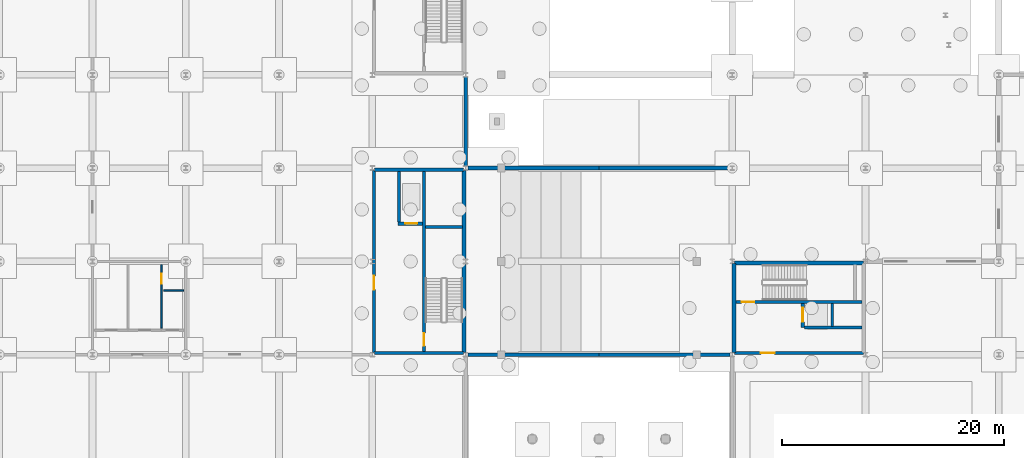
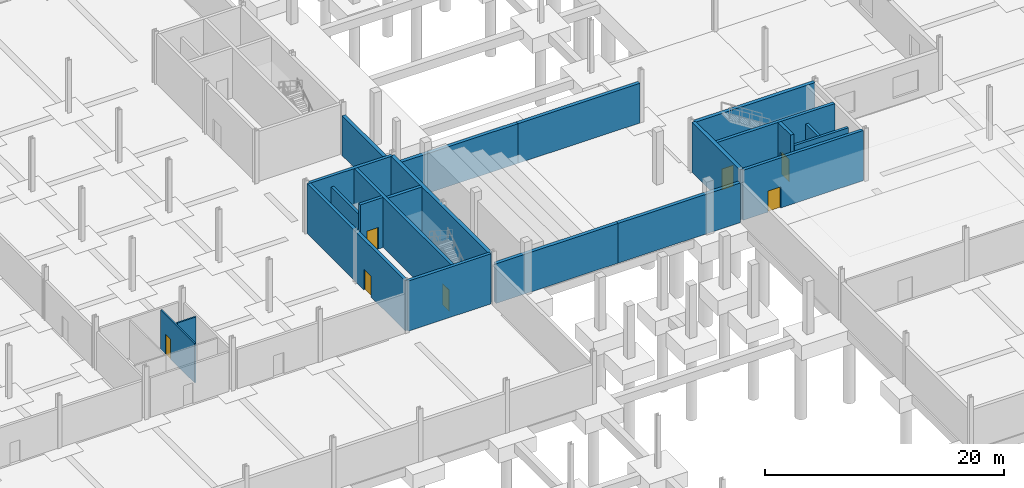
# One storey, part 26 of 36: 22 walls, 7 doors, 7 openings.
"""IFC4 building model written with IfcOpenShell, lengths in metres."""

from ifc_helpers import new_model, si_unit, direction, frame, frame_2d, origin, place, context, subcontext, project, spatial, rectangle, extrude, material, layer, layer_set, type_object, element, fill, save


model = new_model("IFC4")

# Units and contexts
model_context = context("Model", 3, precision=1e-05, world=origin(), true_north=direction((0.0, 1.0)))
body_context = subcontext(model_context, "Body", "Model", "MODEL_VIEW")
ifc_project = project(units=[si_unit("LENGTHUNIT", "METRE"), si_unit("AREAUNIT", "SQUARE_METRE"), si_unit("VOLUMEUNIT", "CUBIC_METRE"), si_unit("PLANEANGLEUNIT", "RADIAN"), si_unit("MASSUNIT", "GRAM", prefix="KILO"), si_unit("THERMODYNAMICTEMPERATUREUNIT", "KELVIN"), si_unit("POWERUNIT", "WATT")], contexts=[model_context])

# Site, building, storey
site_placement = place(None, origin())
site = spatial("IfcSite", under=ifc_project, at=site_placement, CompositionType="ELEMENT")
building_placement = place(site_placement, origin())
building = spatial("IfcBuilding", under=site, at=building_placement, Name="Tembeka Court Mobility Hub", CompositionType="ELEMENT")
storey_placement = place(building_placement, frame((0.0, 0.0, -5.39990234375)))
storey = spatial("IfcBuildingStorey", under=building, at=storey_placement, Name="B1", CompositionType="ELEMENT", Elevation=-5.39990234375)

# Walls
ifc_material_1 = material(Name="Concrete C40/50", Category="concrete")
ifc_layer_1 = layer(ifc_material_1, 0.25)
ifc_layer_set_1 = layer_set([ifc_layer_1], Name="Concrete C40/50")
wall_type_1 = type_object("IfcWallType", Name="WL-IW01", PredefinedType="PARTITIONING", material=ifc_layer_set_1)
wall_1_placement = place(storey_placement, frame((86.39990234375, 50.35009765625, 0.0), z_axis=(0.0, 0.0, 1.0), x_axis=(0.0, 1.0, 0.0)))
element("IfcWall", 1, at=wall_1_placement, inside=storey, type_object=wall_type_1, Name="Wall IW01 (IW-B1-0192)", PredefinedType="PARTITIONING", context=body_context, shape_type="SweptSolid", body=[
    extrude(rectangle(XDim=4.5498046875, YDim=0.25, at=frame_2d((2.27490234375, 0.0))), origin(), (0.0, 0.0, 1.0), 4.02490234375),
])
wall_2_placement = place(storey_placement, frame((122.89990234375, 40.85009765625, 0.0), z_axis=(0.0, 0.0, 1.0), x_axis=(1.0, 0.0, 0.0)))
element("IfcWall", 2, at=wall_2_placement, inside=storey, type_object=wall_type_1, Name="Wall IW01 (IW-B1-0256)", PredefinedType="PARTITIONING", context=body_context, shape_type="SweptSolid", body=[
    extrude(rectangle(XDim=5.2001953125, YDim=0.25, at=frame_2d((2.60009765625, 0.0))), origin(), (0.0, 0.0, 1.0), 4.02490234375),
])
wall_3_placement = place(storey_placement, frame((125.39990234375, 40.949951171875, 0.0), z_axis=(0.0, 0.0, 1.0), x_axis=(0.0, 1.0, 0.0)))
element("IfcWall", 3, at=wall_3_placement, inside=storey, type_object=wall_type_1, Name="Wall IW01 (IW-B1-0257)", PredefinedType="PARTITIONING", context=body_context, shape_type="SweptSolid", body=[
    extrude(rectangle(XDim=2.050048828125, YDim=0.25, at=frame_2d((1.02490234375, 0.0))), origin(), (0.0, 0.0, 1.0), 4.02490234375),
])

# Wall, opening, door
ifc_material_2 = material(Name="Moisture-resistant gypsum partition", Category="masonry")
ifc_layer_2 = layer(ifc_material_2, 0.139892578125)
ifc_layer_set_2 = layer_set([ifc_layer_2], Name="Moisture-resistant gypsum partition")
wall_type_2 = type_object("IfcWallType", Name="WL-IW05", PredefinedType="PARTITIONING", material=ifc_layer_set_2)
wall_4_placement = place(storey_placement, frame((65.0, 40.800048828125, 0.0), z_axis=(0.0, 0.0, 1.0), x_axis=(0.0, 1.0, 0.0)))
wall_4 = element("IfcWall", 4, at=wall_4_placement, inside=storey, type_object=wall_type_2, Name="Wall IW05 (IW-B1-0344)", PredefinedType="PARTITIONING", context=body_context, shape_type="SweptSolid", body=[
    extrude(rectangle(XDim=5.699951171875, YDim=0.139892578125, at=frame_2d((2.85009765625, 0.0))), origin(), (0.0, 0.0, 1.0), 4.02490234375),
])
opening_1_placement = place(wall_4_placement, frame((4.0, 0.0, 0.0)))
opening_1 = element("IfcOpeningElement", 5, at=opening_1_placement, cuts=wall_4, Name="Opening ID08", PredefinedType="OPENING", context=body_context, shape_type="SweptSolid", body=[
    extrude(rectangle(XDim=0.89990234375, YDim=2.050048828125, at=frame_2d((0.449951171875, 1.02490234375))), frame((0.0, 0.080078125, 0.0), z_axis=(0.0, -1.0, 0.0), x_axis=(1.0, 0.0, 0.0)), (0.0, 0.0, 1.0), 0.159912109375),
])
ifc_material_3 = material(Name="Powder-coated aluminium glazed doorset", Category="aluminium")
door_type_1 = type_object("IfcDoorType", Name="DR-ID08", OperationType="NOTDEFINED", PredefinedType="DOOR", material=ifc_material_3)
door_1_placement = place(opening_1_placement, origin())
door_1 = element("IfcDoor", 6, at=door_1_placement, inside=storey, type_object=door_type_1, Name="B1 cleaner cupboard door", OperationType="SINGLE_SWING_LEFT", OverallHeight=2.050048828125, OverallWidth=0.89990234375, PredefinedType="DOOR", context=body_context, shape_type="SweptSolid", body=[
    extrude(rectangle(XDim=0.89990234375, YDim=2.050048828125, at=frame_2d((0.449951171875, 1.02490234375))), frame((0.0, 0.02490234375, 0.0), z_axis=(0.0, -1.0, 0.0), x_axis=(1.0, 0.0, 0.0)), (0.0, 0.0, 1.0), 0.050048828125),
])
fill(opening_1, door_1)

# Walls
wall_5_placement = place(storey_placement, frame((65.199951171875, 44.199951171875, 0.0), z_axis=(0.0, 0.0, 1.0), x_axis=(1.0, 0.0, 0.0)))
element("IfcWall", 7, at=wall_5_placement, inside=storey, type_object=wall_type_2, Name="Wall IW05 (IW-B1-0345)", PredefinedType="PARTITIONING", context=body_context, shape_type="SweptSolid", body=[
    extrude(rectangle(XDim=1.800048828125, YDim=0.139892578125, at=frame_2d((0.89990234375, 0.0))), origin(), (0.0, 0.0, 1.0), 4.02490234375),
])
ifc_layer_3 = layer(ifc_material_1, 0.340087890625)
ifc_layer_set_3 = layer_set([ifc_layer_3], Name="Concrete C40/50")
wall_type_3 = type_object("IfcWallType", Name="WL-RW01", PredefinedType="USERDEFINED", material=ifc_layer_set_3)
wall_6_placement = place(storey_placement, frame((92.39990234375, 55.39501953125, 0.0), z_axis=(0.0, 0.0, 1.0), x_axis=(0.0, 1.0, 0.0)))
element("IfcWall", 8, at=wall_6_placement, inside=storey, type_object=wall_type_3, Name="External wall RW01 (EW-B1-0034)", ObjectType="RETAININGWALL", PredefinedType="USERDEFINED", context=body_context, shape_type="SweptSolid", body=[
    extrude(rectangle(XDim=8.010009765625, YDim=0.340087890625, at=frame_2d((4.0048828125, 0.0))), origin(), (0.0, 0.0, 1.0), 4.059814453125),
])
for number, where, z_axis, x_axis, name in (
    (9, (92.597412109375, 38.39990234375, 0.0), (0.0, 0.0, 1.0), (1.0, 0.0, 0.0), "External wall RW01 (EW-B1-0037)"),
    (10, (92.597412109375, 55.199951171875, 0.0), (0.0, 0.0, 1.0), (1.0, 0.0, 0.0), "External wall RW01 (EW-B1-0038)"),
):
    element("IfcWall", number, at=place(storey_placement, frame(where, z_axis=z_axis, x_axis=x_axis)), inside=storey, type_object=wall_type_3, Name=name, ObjectType="RETAININGWALL", PredefinedType="USERDEFINED", context=body_context, shape_type="SweptSolid", body=[
        extrude(rectangle(XDim=11.802490234375, YDim=0.340087890625, at=frame_2d((5.9013671875, 0.0))), origin(), (0.0, 0.0, 1.0), 4.059814453125),
    ])
for number, where, z_axis, x_axis, name in (
    (11, (104.39990234375, 38.39990234375, 0.0), (0.0, 0.0, 1.0), (1.0, 0.0, 0.0), "External wall RW01 (EW-B1-0039)"),
    (12, (104.39990234375, 55.199951171875, 0.0), (0.0, 0.0, 1.0), (1.0, 0.0, 0.0), "External wall RW01 (EW-B1-0040)"),
):
    element("IfcWall", number, at=place(storey_placement, frame(where, z_axis=z_axis, x_axis=x_axis)), inside=storey, type_object=wall_type_3, Name=name, ObjectType="RETAININGWALL", PredefinedType="USERDEFINED", context=body_context, shape_type="SweptSolid", body=[
        extrude(rectangle(XDim=11.815673828125, YDim=0.340087890625, at=frame_2d((5.90771484375, 0.0))), origin(), (0.0, 0.0, 1.0), 4.059814453125),
    ])
ifc_layer_4 = layer(ifc_material_1, 0.300048828125)
ifc_layer_set_4 = layer_set([ifc_layer_4], Name="Concrete C40/50")
wall_type_4 = type_object("IfcWallType", Name="WL-SW01", PredefinedType="SHEAR", material=ifc_layer_set_4)
for number, where, z_axis, x_axis, name in (
    (13, (84.197509765625, 38.550048828125, 0.0), (0.0, 0.0, 1.0), (1.0, 0.0, 0.0), "Wall SW01 (IW-B1-0185)"),
    (14, (84.197509765625, 55.050048828125, 0.0), (0.0, 0.0, 1.0), (1.0, 0.0, 0.0), "Wall SW01 (IW-B1-0186)"),
):
    element("IfcWall", number, at=place(storey_placement, frame(where, z_axis=z_axis, x_axis=x_axis)), inside=storey, type_object=wall_type_4, Name=name, PredefinedType="SHEAR", context=body_context, shape_type="SweptSolid", body=[
        extrude(rectangle(XDim=8.0048828125, YDim=0.300048828125, at=frame_2d((4.00244140625, 0.0))), origin(), (0.0, 0.0, 1.0), 5.119873046875),
    ])
wall_7_placement = place(storey_placement, frame((88.800048828125, 49.89990234375, 0.0), z_axis=(0.0, 0.0, 1.0), x_axis=(1.0, 0.0, 0.0)))
element("IfcWall", 15, at=wall_7_placement, inside=storey, type_object=wall_type_4, Name="Wall SW01 (IW-B1-0187)", PredefinedType="SHEAR", context=body_context, shape_type="SweptSolid", body=[
    extrude(rectangle(XDim=3.300048828125, YDim=0.300048828125, at=frame_2d((1.64990234375, 0.0))), origin(), (0.0, 0.0, 1.0), 5.119873046875),
])

# Wall, opening, door
wall_8_placement = place(storey_placement, frame((84.14990234375, 38.594970703125, 0.0), z_axis=(0.0, 0.0, 1.0), x_axis=(0.0, 1.0, 0.0)))
wall_8 = element("IfcWall", 16, at=wall_8_placement, inside=storey, type_object=wall_type_4, Name="Wall SW01 (IW-B1-0189)", PredefinedType="SHEAR", context=body_context, shape_type="SweptSolid", body=[
    extrude(rectangle(XDim=16.409912109375, YDim=0.300048828125, at=frame_2d((8.205078125, 0.0))), origin(), (0.0, 0.0, 1.0), 5.119873046875),
])
opening_2_placement = place(wall_8_placement, frame((5.655029296875, 0.0, 0.0)))
opening_2 = element("IfcOpeningElement", 17, at=opening_2_placement, cuts=wall_8, Name="Opening FD01", PredefinedType="OPENING", context=body_context, shape_type="SweptSolid", body=[
    extrude(rectangle(XDim=1.25, YDim=2.14990234375, at=frame_2d((0.625, 1.074951171875))), frame((0.0, 0.16015625, 0.0), z_axis=(0.0, -1.0, 0.0), x_axis=(1.0, 0.0, 0.0)), (0.0, 0.0, 1.0), 0.320068359375),
])
ifc_material_4 = material(Name="Galvanised steel fire/shutter doorset", Category="steel")
door_type_2 = type_object("IfcDoorType", Name="DR-FD01", OperationType="NOTDEFINED", PredefinedType="DOOR", material=ifc_material_4)
door_2_placement = place(opening_2_placement, origin())
door_2 = element("IfcDoor", 18, at=door_2_placement, inside=storey, type_object=door_type_2, Name="Door FD01-0089", OperationType="SINGLE_SWING_LEFT", OverallHeight=2.14990234375, OverallWidth=1.25, PredefinedType="DOOR", context=body_context, shape_type="SweptSolid", body=[
    extrude(rectangle(XDim=1.25, YDim=2.14990234375, at=frame_2d((0.625, 1.074951171875))), frame((0.0, 0.02490234375, 0.0), z_axis=(0.0, -1.0, 0.0), x_axis=(1.0, 0.0, 0.0)), (0.0, 0.0, 1.0), 0.050048828125),
])
fill(opening_2, door_2)

wall_9_placement = place(storey_placement, frame((88.64990234375, 38.699951171875, 0.0), z_axis=(0.0, 0.0, 1.0), x_axis=(0.0, 1.0, 0.0)))
wall_9 = element("IfcWall", 19, at=wall_9_placement, inside=storey, type_object=wall_type_4, Name="Wall SW01 (IW-B1-0190)", PredefinedType="SHEAR", context=body_context, shape_type="SweptSolid", body=[
    extrude(rectangle(XDim=16.199951171875, YDim=0.300048828125, at=frame_2d((8.10009765625, 0.0))), origin(), (0.0, 0.0, 1.0), 5.119873046875),
])
opening_3_placement = place(wall_9_placement, frame((0.5, 0.0, 0.0)))
opening_3 = element("IfcOpeningElement", 20, at=opening_3_placement, cuts=wall_9, Name="Opening FD03", PredefinedType="OPENING", context=body_context, shape_type="SweptSolid", body=[
    extrude(rectangle(XDim=1.14990234375, YDim=2.14990234375, at=frame_2d((0.574951171875, 1.074951171875))), frame((0.0, 0.16015625, 0.0), z_axis=(0.0, -1.0, 0.0), x_axis=(1.0, 0.0, 0.0)), (0.0, 0.0, 1.0), 0.320068359375),
])
door_type_3 = type_object("IfcDoorType", Name="DR-FD03", OperationType="NOTDEFINED", PredefinedType="DOOR", material=ifc_material_4)
door_3_placement = place(opening_3_placement, origin())
door_3 = element("IfcDoor", 21, at=door_3_placement, inside=storey, type_object=door_type_3, Name="Door FD03-0090", OperationType="SINGLE_SWING_RIGHT", OverallHeight=2.14990234375, OverallWidth=1.14990234375, PredefinedType="DOOR", context=body_context, shape_type="SweptSolid", body=[
    extrude(rectangle(XDim=1.14990234375, YDim=2.14990234375, at=frame_2d((0.574951171875, 1.074951171875))), frame((0.0, 0.02490234375, 0.0), z_axis=(0.0, -1.0, 0.0), x_axis=(1.0, 0.0, 0.0)), (0.0, 0.0, 1.0), 0.050048828125),
])
fill(opening_3, door_3)

wall_10_placement = place(storey_placement, frame((86.300048828125, 50.199951171875, 0.0), z_axis=(0.0, 0.0, 1.0), x_axis=(1.0, 0.0, 0.0)))
wall_10 = element("IfcWall", 22, at=wall_10_placement, inside=storey, type_object=wall_type_4, Name="Wall SW01 (IW-B1-0191)", PredefinedType="SHEAR", context=body_context, shape_type="SweptSolid", body=[
    extrude(rectangle(XDim=2.199951171875, YDim=0.300048828125, at=frame_2d((1.10009765625, 0.0))), origin(), (0.0, 0.0, 1.0), 5.119873046875),
])
opening_4_placement = place(wall_10_placement, frame((0.64990234375, 0.0, 0.0)))
opening_4 = element("IfcOpeningElement", 23, at=opening_4_placement, cuts=wall_10, Name="Opening LD01", PredefinedType="OPENING", context=body_context, shape_type="SweptSolid", body=[
    extrude(rectangle(XDim=1.10009765625, YDim=2.199951171875, at=frame_2d((0.550048828125, 1.10009765625))), frame((0.0, 0.16015625, 0.0), z_axis=(0.0, -1.0, 0.0), x_axis=(1.0, 0.0, 0.0)), (0.0, 0.0, 1.0), 0.320068359375),
])
door_type_4 = type_object("IfcDoorType", Name="DR-LD01", OperationType="SLIDING_TO_LEFT", PredefinedType="DOOR", material=ifc_material_4)
door_4_placement = place(opening_4_placement, origin())
door_4 = element("IfcDoor", 24, at=door_4_placement, inside=storey, type_object=door_type_4, Name="Lift LF06 landing door B1", OperationType="SLIDING_TO_LEFT", OverallHeight=2.199951171875, OverallWidth=1.10009765625, PredefinedType="DOOR", context=body_context, shape_type="SweptSolid", body=[
    extrude(rectangle(XDim=1.10009765625, YDim=2.199951171875, at=frame_2d((0.550048828125, 1.10009765625))), frame((0.0, 0.02490234375, 0.0), z_axis=(0.0, -1.0, 0.0), x_axis=(1.0, 0.0, 0.0)), (0.0, 0.0, 1.0), 0.050048828125),
])
fill(opening_4, door_4)

wall_11_placement = place(storey_placement, frame((116.58447265625, 38.550048828125, 0.0), z_axis=(0.0, 0.0, 1.0), x_axis=(1.0, 0.0, 0.0)))
wall_11 = element("IfcWall", 25, at=wall_11_placement, inside=storey, type_object=wall_type_4, Name="Wall SW01 (IW-B1-0250)", PredefinedType="SHEAR", context=body_context, shape_type="SweptSolid", body=[
    extrude(rectangle(XDim=11.631103515625, YDim=0.300048828125, at=frame_2d((5.8154296875, 0.0))), origin(), (0.0, 0.0, 1.0), 5.119873046875),
])
opening_5_placement = place(wall_11_placement, frame((2.3955078125, 0.0, 0.0)))
opening_5 = element("IfcOpeningElement", 26, at=opening_5_placement, cuts=wall_11, Name="Opening FD01", PredefinedType="OPENING", context=body_context, shape_type="SweptSolid", body=[
    extrude(rectangle(XDim=1.25, YDim=2.14990234375, at=frame_2d((0.625, 1.074951171875))), frame((0.0, 0.16015625, 0.0), z_axis=(0.0, -1.0, 0.0), x_axis=(1.0, 0.0, 0.0)), (0.0, 0.0, 1.0), 0.320068359375),
])
door_5_placement = place(opening_5_placement, origin())
door_5 = element("IfcDoor", 27, at=door_5_placement, inside=storey, type_object=door_type_2, Name="Door FD01-0114", OperationType="SINGLE_SWING_LEFT", OverallHeight=2.14990234375, OverallWidth=1.25, PredefinedType="DOOR", context=body_context, shape_type="SweptSolid", body=[
    extrude(rectangle(XDim=1.25, YDim=2.14990234375, at=frame_2d((0.625, 1.074951171875))), frame((0.0, 0.02490234375, 0.0), z_axis=(0.0, -1.0, 0.0), x_axis=(1.0, 0.0, 0.0)), (0.0, 0.0, 1.0), 0.050048828125),
])
fill(opening_5, door_5)

wall_12_placement = place(storey_placement, frame((116.699951171875, 43.14990234375, 0.0), z_axis=(0.0, 0.0, 1.0), x_axis=(1.0, 0.0, 0.0)))
wall_12 = element("IfcWall", 28, at=wall_12_placement, inside=storey, type_object=wall_type_4, Name="Wall SW01 (IW-B1-0254)", PredefinedType="SHEAR", context=body_context, shape_type="SweptSolid", body=[
    extrude(rectangle(XDim=11.400146484375, YDim=0.300048828125, at=frame_2d((5.7001953125, 0.0))), origin(), (0.0, 0.0, 1.0), 5.119873046875),
])
opening_6_placement = place(wall_12_placement, frame((0.550048828125, 0.0, 0.0)))
opening_6 = element("IfcOpeningElement", 29, at=opening_6_placement, cuts=wall_12, Name="Opening FD03", PredefinedType="OPENING", context=body_context, shape_type="SweptSolid", body=[
    extrude(rectangle(XDim=1.14990234375, YDim=2.14990234375, at=frame_2d((0.574951171875, 1.074951171875))), frame((0.0, 0.16015625, 0.0), z_axis=(0.0, -1.0, 0.0), x_axis=(1.0, 0.0, 0.0)), (0.0, 0.0, 1.0), 0.320068359375),
])
door_6_placement = place(opening_6_placement, origin())
door_6 = element("IfcDoor", 30, at=door_6_placement, inside=storey, type_object=door_type_3, Name="Door FD03-0115", OperationType="SINGLE_SWING_LEFT", OverallHeight=2.14990234375, OverallWidth=1.14990234375, PredefinedType="DOOR", context=body_context, shape_type="SweptSolid", body=[
    extrude(rectangle(XDim=1.14990234375, YDim=2.14990234375, at=frame_2d((0.574951171875, 1.074951171875))), frame((0.0, 0.02490234375, 0.0), z_axis=(0.0, -1.0, 0.0), x_axis=(1.0, 0.0, 0.0)), (0.0, 0.0, 1.0), 0.050048828125),
])
fill(opening_6, door_6)

wall_13_placement = place(storey_placement, frame((122.75, 40.85009765625, 0.0), z_axis=(0.0, 0.0, 1.0), x_axis=(0.0, 1.0, 0.0)))
wall_13 = element("IfcWall", 31, at=wall_13_placement, inside=storey, type_object=wall_type_4, Name="Wall SW01 (IW-B1-0255)", PredefinedType="SHEAR", context=body_context, shape_type="SweptSolid", body=[
    extrude(rectangle(XDim=2.14990234375, YDim=0.300048828125, at=frame_2d((1.074951171875, 0.0))), origin(), (0.0, 0.0, 1.0), 5.119873046875),
])
opening_7_placement = place(wall_13_placement, frame((0.5, 0.0, 0.0)))
opening_7 = element("IfcOpeningElement", 32, at=opening_7_placement, cuts=wall_13, Name="Opening LD02", PredefinedType="OPENING", context=body_context, shape_type="SweptSolid", body=[
    extrude(rectangle(XDim=1.300048828125, YDim=2.300048828125, at=frame_2d((0.64990234375, 1.14990234375))), frame((0.0, 0.16015625, 0.0), z_axis=(0.0, -1.0, 0.0), x_axis=(1.0, 0.0, 0.0)), (0.0, 0.0, 1.0), 0.320068359375),
])
door_type_5 = type_object("IfcDoorType", Name="DR-LD02", OperationType="SLIDING_TO_LEFT", PredefinedType="DOOR", material=ifc_material_4)
door_7_placement = place(opening_7_placement, origin())
door_7 = element("IfcDoor", 33, at=door_7_placement, inside=storey, type_object=door_type_5, Name="Lift LF07 landing door B1", OperationType="SLIDING_TO_LEFT", OverallHeight=2.300048828125, OverallWidth=1.300048828125, PredefinedType="DOOR", context=body_context, shape_type="SweptSolid", body=[
    extrude(rectangle(XDim=1.300048828125, YDim=2.300048828125, at=frame_2d((0.64990234375, 1.14990234375))), frame((0.0, 0.02490234375, 0.0), z_axis=(0.0, -1.0, 0.0), x_axis=(1.0, 0.0, 0.0)), (0.0, 0.0, 1.0), 0.050048828125),
])
fill(opening_7, door_7)

# Walls
ifc_layer_5 = layer(ifc_material_1, 0.35009765625)
ifc_layer_set_5 = layer_set([ifc_layer_5], Name="Concrete C40/50")
wall_type_5 = type_object("IfcWallType", Name="WL-SW02", PredefinedType="SHEAR", material=ifc_layer_set_5)
wall_14_placement = place(storey_placement, frame((92.25, 38.594970703125, 0.0), z_axis=(0.0, 0.0, 1.0), x_axis=(0.0, 1.0, 0.0)))
element("IfcWall", 34, at=wall_14_placement, inside=storey, type_object=wall_type_5, Name="Wall SW02 (IW-B1-0188)", PredefinedType="SHEAR", context=body_context, shape_type="SweptSolid", body=[
    extrude(rectangle(XDim=16.409912109375, YDim=0.35009765625, at=frame_2d((8.205078125, 0.0))), origin(), (0.0, 0.0, 1.0), 5.119873046875),
])
wall_15_placement = place(storey_placement, frame((116.58447265625, 46.64990234375, 0.0), z_axis=(0.0, 0.0, 1.0), x_axis=(1.0, 0.0, 0.0)))
element("IfcWall", 35, at=wall_15_placement, inside=storey, type_object=wall_type_5, Name="Wall SW02 (IW-B1-0249)", PredefinedType="SHEAR", context=body_context, shape_type="SweptSolid", body=[
    extrude(rectangle(XDim=11.631103515625, YDim=0.35009765625, at=frame_2d((5.8154296875, 0.0))), origin(), (0.0, 0.0, 1.0), 5.119873046875),
])
wall_16_placement = place(storey_placement, frame((116.550048828125, 38.58203125, 0.0), z_axis=(0.0, 0.0, 1.0), x_axis=(0.0, 1.0, 0.0)))
element("IfcWall", 36, at=wall_16_placement, inside=storey, type_object=wall_type_5, Name="Wall SW02 (IW-B1-0251)", PredefinedType="SHEAR", context=body_context, shape_type="SweptSolid", body=[
    extrude(rectangle(XDim=8.035888671875, YDim=0.35009765625, at=frame_2d((4.01806640625, 0.0))), origin(), (0.0, 0.0, 1.0), 5.119873046875),
])

save(model, "model.ifc")
